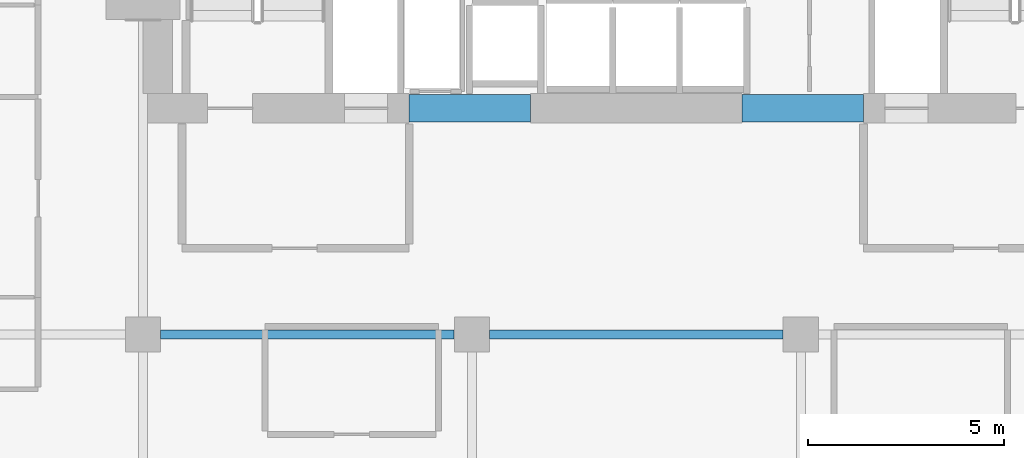
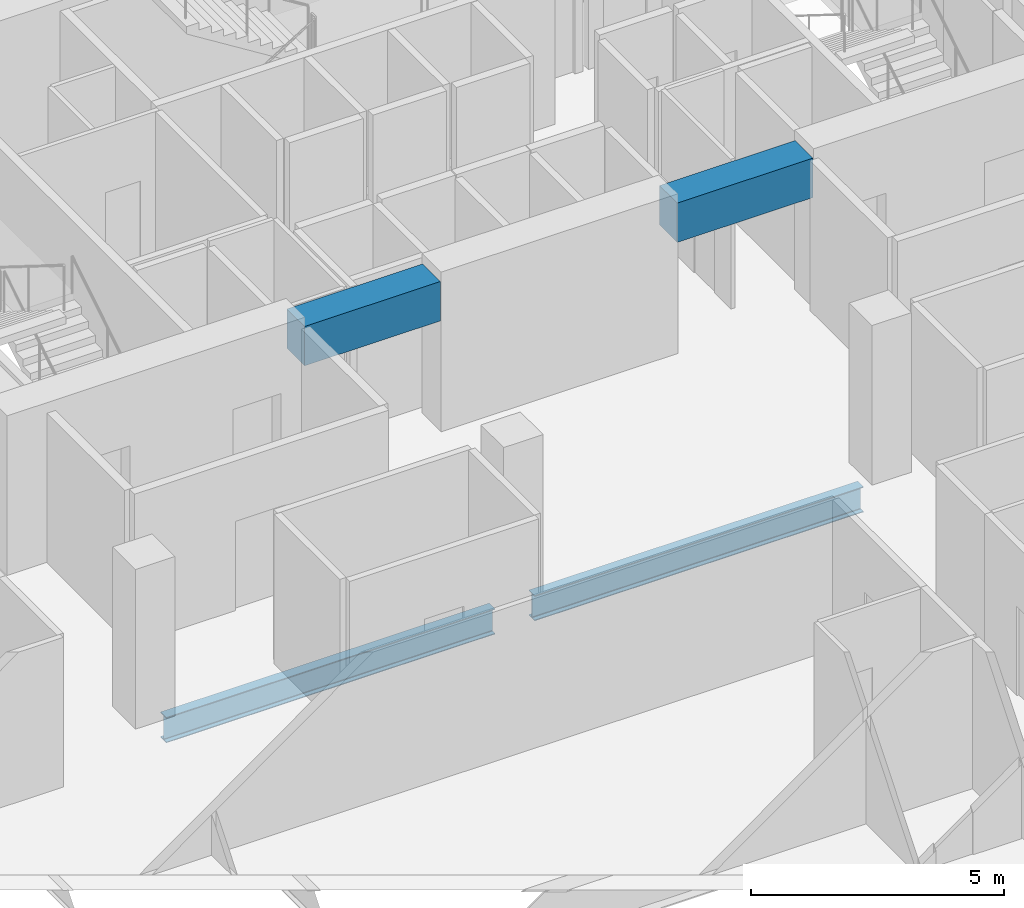
# One storey, part 21 of 33: 4 beams.
"""IFC4 building model written with IfcOpenShell, lengths in metres."""

import ifcopenshell
import ifcopenshell.guid

model = None  # the IFC model being written
_history = None  # IfcOwnerHistory: only IFC2X3 demands one
_inside = {}  # id of a spatial element -> (the spatial element, [elements in it])
_under = {}  # id of a project, library or spatial element -> (it, [spatial elements below it])
_declared = {}  # id of a project -> (the project, [libraries it declares])
_typed = {}  # id of a type object -> (the type object, [elements of that type])
_made_of = {}  # id of a material, layer set ... -> (it, [elements and type objects made of it])


def new_model(schema):
    """Start an empty IFC model of exactly this schema.

    Asked for "IFC4X3", IfcOpenShell would pick the latest addendum, in which some entities
    have other attributes; the version numbers below select the first issue.
    IFC2X3 requires an IfcOwnerHistory on every rooted entity: one is made here for all.
    """
    global model, _history
    if schema == "IFC4X3":
        model = ifcopenshell.file(schema_version=(4, 3, 0, 0))
    else:
        model = ifcopenshell.file(schema=schema)
    _inside.clear()
    _under.clear()
    _declared.clear()
    _typed.clear()
    _made_of.clear()
    _history = None
    if model.schema == "IFC2X3":
        org = make("IfcOrganization", Name="unknown")
        user = make(
            "IfcPersonAndOrganization",
            ThePerson=make("IfcPerson", FamilyName="unknown"),
            TheOrganization=org,
        )
        app = make(
            "IfcApplication",
            ApplicationDeveloper=org,
            Version="unknown",
            ApplicationFullName="unknown",
            ApplicationIdentifier="unknown",
        )
        _history = make(
            "IfcOwnerHistory",
            OwningUser=user,
            OwningApplication=app,
            ChangeAction="ADDED",
            CreationDate=0,
        )
    return model


def make(cls, **values):
    """One entity of the class cls with the attributes given. An attribute that is None is left unset."""
    return model.create_entity(
        cls, **{name: value for name, value in values.items() if value is not None}
    )


def rooted(cls, **values):
    """An entity with a GlobalId (a new one), such as an element, a storey or a relation."""
    return make(cls, GlobalId=ifcopenshell.guid.new(), OwnerHistory=_history, **values)


def si_unit(unit_type, name, prefix=None):
    """IfcSIUnit, for example si_unit("LENGTHUNIT", "METRE", prefix="MILLI")."""
    return make("IfcSIUnit", UnitType=unit_type, Prefix=prefix, Name=name)


def assignment(units):
    """IfcUnitAssignment: the units of a project."""
    return None if units is None else make("IfcUnitAssignment", Units=units)


def point(xyz):
    """IfcCartesianPoint."""
    return None if xyz is None else make("IfcCartesianPoint", Coordinates=xyz)


def direction(xyz):
    """IfcDirection."""
    return None if xyz is None else make("IfcDirection", DirectionRatios=xyz)


def frame(location, z_axis=None, x_axis=None):
    """IfcAxis2Placement3D, a coordinate frame: its origin and axes. An axis left out is left unset."""
    return make(
        "IfcAxis2Placement3D",
        Location=point(location),
        Axis=direction(z_axis),
        RefDirection=direction(x_axis),
    )


def frame_2d(location, x_axis=None):
    """IfcAxis2Placement2D, a coordinate frame in the plane: its origin and x axis."""
    return make(
        "IfcAxis2Placement2D", Location=point(location), RefDirection=direction(x_axis)
    )


def origin():
    """The frame at (0, 0, 0) with its axes left unset."""
    return frame((0.0, 0.0, 0.0))


def origin_2d():
    """The frame at (0, 0) in the plane with its x axis left unset."""
    return frame_2d((0.0, 0.0))


def place(relative_to, where):
    """IfcLocalPlacement: puts the frame where relative to a parent placement (None: the world)."""
    return make(
        "IfcLocalPlacement", PlacementRelTo=relative_to, RelativePlacement=where
    )


def context(
    kind, dimensions, precision=None, world=None, true_north=None, identifier=None
):
    """IfcGeometricRepresentationContext, for example the 3D "Model" context."""
    return make(
        "IfcGeometricRepresentationContext",
        ContextIdentifier=identifier,
        ContextType=kind,
        CoordinateSpaceDimension=dimensions,
        Precision=precision,
        WorldCoordinateSystem=world,
        TrueNorth=true_north,
    )


def subcontext(parent, identifier, kind, view, scale=None):
    """IfcGeometricRepresentationSubContext, for example "Body" below "Model"."""
    return make(
        "IfcGeometricRepresentationSubContext",
        ContextIdentifier=identifier,
        ContextType=kind,
        ParentContext=parent,
        TargetScale=scale,
        TargetView=view,
    )


def project(units=None, contexts=None):
    """IfcProject with its units and contexts."""
    return rooted(
        "IfcProject",
        Name="project",
        RepresentationContexts=contexts,
        UnitsInContext=assignment(units),
    )


def spatial(cls, under=None, at=None, **own):
    """A site, building, storey or space (cls), placed at a placement, below another one or the project."""
    s = rooted(cls, ObjectPlacement=at, **own)
    if under is not None:
        _under.setdefault(under.id(), (under, []))[1].append(s)
    return s


def profile(cls, at=None, kind="AREA", **sizes):
    """A parametric profile (cls). Its sizes go by their IFC names, for example OverallWidth=200.0."""
    return make(cls, ProfileType=kind, Position=at, **sizes)


def rectangle(**sizes):
    """IfcRectangleProfileDef."""
    return profile("IfcRectangleProfileDef", **sizes)


def i_section(**sizes):
    """IfcIShapeProfileDef."""
    return profile("IfcIShapeProfileDef", **sizes)


def extrude(swept, where, along, depth):
    """IfcExtrudedAreaSolid: the profile swept, set in the frame where, extruded along a direction by depth."""
    return make(
        "IfcExtrudedAreaSolid",
        SweptArea=swept,
        Position=where,
        ExtrudedDirection=direction(along),
        Depth=depth,
    )


def shape(context_of_items, identifier, shape_type, items):
    """IfcShapeRepresentation: the items that make up one representation, for example the "Body"."""
    return make(
        "IfcShapeRepresentation",
        ContextOfItems=context_of_items,
        RepresentationIdentifier=identifier,
        RepresentationType=shape_type,
        Items=items,
    )


def material(Name=None, Category=None):
    """IfcMaterial."""
    return make("IfcMaterial", Name=Name, Category=Category)


def material_profile(
    of_material, cross_section, Name=None, Category=None, Priority=None
):
    """IfcMaterialProfile: a cross section and its material."""
    return make(
        "IfcMaterialProfile",
        Name=Name,
        Material=of_material,
        Profile=cross_section,
        Priority=Priority,
        Category=Category,
    )


def profile_set(profiles, Name=None, composite=None):
    """IfcMaterialProfileSet."""
    return make(
        "IfcMaterialProfileSet",
        Name=Name,
        MaterialProfiles=profiles,
        CompositeProfile=composite,
    )


def made_of(thing, what):
    """Note that an element or type object is made of a material, layer set ...; save() writes the relation."""
    if what is not None:
        _made_of.setdefault(what.id(), (what, []))[1].append(thing)
    return thing


def type_object(cls, material=None, **own):
    """A type object (cls), such as IfcWallType, which elements share."""
    return made_of(rooted(cls, **own), material)


def element(
    cls,
    number,
    at=None,
    inside=None,
    cuts=None,
    type_object=None,
    material=None,
    context=None,
    identifier="Body",
    shape_type=None,
    held_by="IfcProductDefinitionShape",
    body=None,
    shapes=None,
    **own,
):
    """One element of the class cls, such as IfcWall. Its Tag is "e" and its number.

    at: its placement. inside: the storey or other place that contains it. cuts: it is an
    opening in that element (IfcRelVoidsElement). A single representation is given by context,
    identifier, shape_type and body (its items); several are given by shapes. held_by: the class
    of the entity that holds the representations. save() writes the other relations.
    """
    e = rooted(cls, Tag="e%d" % number, ObjectPlacement=at, **own)
    if body is not None:
        shapes = [shape(context, identifier, shape_type, body)]
    if shapes is not None:
        e.Representation = make(held_by, Representations=shapes)
    if inside is not None:
        _inside.setdefault(inside.id(), (inside, []))[1].append(e)
    if cuts is not None:
        rooted(
            "IfcRelVoidsElement", RelatingBuildingElement=cuts, RelatedOpeningElement=e
        )
    if type_object is not None:
        _typed.setdefault(type_object.id(), (type_object, []))[1].append(e)
    return made_of(e, material)


def aggregate(whole, parts):
    """IfcRelAggregates: a whole, such as a stair, and the parts it consists of."""
    return rooted("IfcRelAggregates", RelatingObject=whole, RelatedObjects=parts)


def save(model, path):
    """Write the relations noted so far, then the file.

    IfcRelAggregates (storeys below a building ...), IfcRelContainedInSpatialStructure (elements
    in a storey), IfcRelDefinesByType, IfcRelAssociatesMaterial and IfcRelDeclares: one each for
    every whole, place, type object, material and project.
    """
    for whole, parts in _under.values():
        aggregate(whole, parts)
    for where, things in _inside.values():
        rooted(
            "IfcRelContainedInSpatialStructure",
            RelatedElements=things,
            RelatingStructure=where,
        )
    for kind, things in _typed.values():
        rooted("IfcRelDefinesByType", RelatedObjects=things, RelatingType=kind)
    for what, things in _made_of.values():
        rooted("IfcRelAssociatesMaterial", RelatedObjects=things, RelatingMaterial=what)
    for by, libraries in _declared.values():
        rooted("IfcRelDeclares", RelatingContext=by, RelatedDefinitions=libraries)
    model.write(path)


model = new_model("IFC4")

# Units and contexts
model_context = context("Model", 3, precision=1e-05, world=origin(), true_north=direction((0.0, 1.0)))
body_context = subcontext(model_context, "Body", "Model", "MODEL_VIEW")
ifc_project = project(units=[si_unit("LENGTHUNIT", "METRE"), si_unit("AREAUNIT", "SQUARE_METRE"), si_unit("VOLUMEUNIT", "CUBIC_METRE"), si_unit("PLANEANGLEUNIT", "RADIAN"), si_unit("MASSUNIT", "GRAM", prefix="KILO")], contexts=[model_context])

# Site, building, storey
site_placement = place(None, origin())
site = spatial("IfcSite", under=ifc_project, at=site_placement, CompositionType="ELEMENT")
building_placement = place(site_placement, origin())
building = spatial("IfcBuilding", under=site, at=building_placement, Name="Maruvema Waterfront Hotel and Observation Tower", CompositionType="ELEMENT")
storey_placement = place(building_placement, frame((0.0, 0.0, 154.35009765625)))
storey = spatial("IfcBuildingStorey", under=building, at=storey_placement, Name="L37", CompositionType="ELEMENT", Elevation=154.35009765625)

# Beams
ifc_material_1 = material(Name="Concrete C60/75", Category="concrete")
ifc_material_profile_1 = material_profile(ifc_material_1, rectangle(XDim=0.699951171875, YDim=0.949951171875, at=origin_2d()), Name="CB700x950")
ifc_profile_set_1 = profile_set([ifc_material_profile_1], Name="Concrete C60/75")
beam_type_1 = type_object("IfcBeamType", Name="Core Coupling Lintel Beam CB700x950", PredefinedType="LINTEL", material=ifc_profile_set_1)
for number, where, z_axis, x_axis, name in (
    (1, (32.0, 41.77490234375, 3.135009765625), (1.0, 0.0, 0.0), (0.0, 1.0, 0.0), "L37 Core Coupling Lintel Beam West"),
    (2, (40.5, 41.77490234375, 3.135009765625), (1.0, 0.0, 0.0), (0.0, 1.0, 0.0), "L37 Core Coupling Lintel Beam East"),
):
    element("IfcBeam", number, at=place(storey_placement, frame(where, z_axis=z_axis, x_axis=x_axis)), inside=storey, type_object=beam_type_1, Name=name, PredefinedType="LINTEL", context=body_context, shape_type="SweptSolid", body=[
        extrude(rectangle(XDim=0.699951171875, YDim=0.949951171875, at=origin_2d()), origin(), (0.0, 0.0, 1.0), 3.10009765625),
    ])
ifc_material_2 = material(Name="Steel ASTM A572 Grade 50", Category="steel")
ifc_material_profile_2 = material_profile(ifc_material_2, i_section(OverallWidth=0.22900390625, OverallDepth=0.612060546875, WebThickness=0.011962890625, FlangeThickness=0.01953125, FilletRadius=0.01806640625, at=origin_2d()), Name="W610x125.0")
ifc_profile_set_2 = profile_set([ifc_material_profile_2], Name="Steel ASTM A572 Grade 50")
beam_type_2 = type_object("IfcBeamType", Name="Primary Floor Girder W610x125.0", PredefinedType="BEAM", material=ifc_profile_set_2)
for number, where, z_axis, x_axis, name in (
    (3, (25.64990234375, 36.0, -0.546142578125), (1.0, 0.0, 0.0), (0.0, 1.0, 0.0), "L37 Floor Girder EW-25"),
    (4, (34.050048828125, 36.0, -0.546142578125), (1.0, 0.0, 0.0), (0.0, 1.0, 0.0), "L37 Floor Girder EW-26"),
):
    element("IfcBeam", number, at=place(storey_placement, frame(where, z_axis=z_axis, x_axis=x_axis)), inside=storey, type_object=beam_type_2, Name=name, PredefinedType="BEAM", context=body_context, shape_type="SweptSolid", body=[
        extrude(i_section(OverallWidth=0.22900390625, OverallDepth=0.612060546875, WebThickness=0.011962890625, FlangeThickness=0.01953125, FilletRadius=0.01806640625, at=origin_2d()), origin(), (0.0, 0.0, 1.0), 7.5),
    ])

save(model, "model.ifc")
